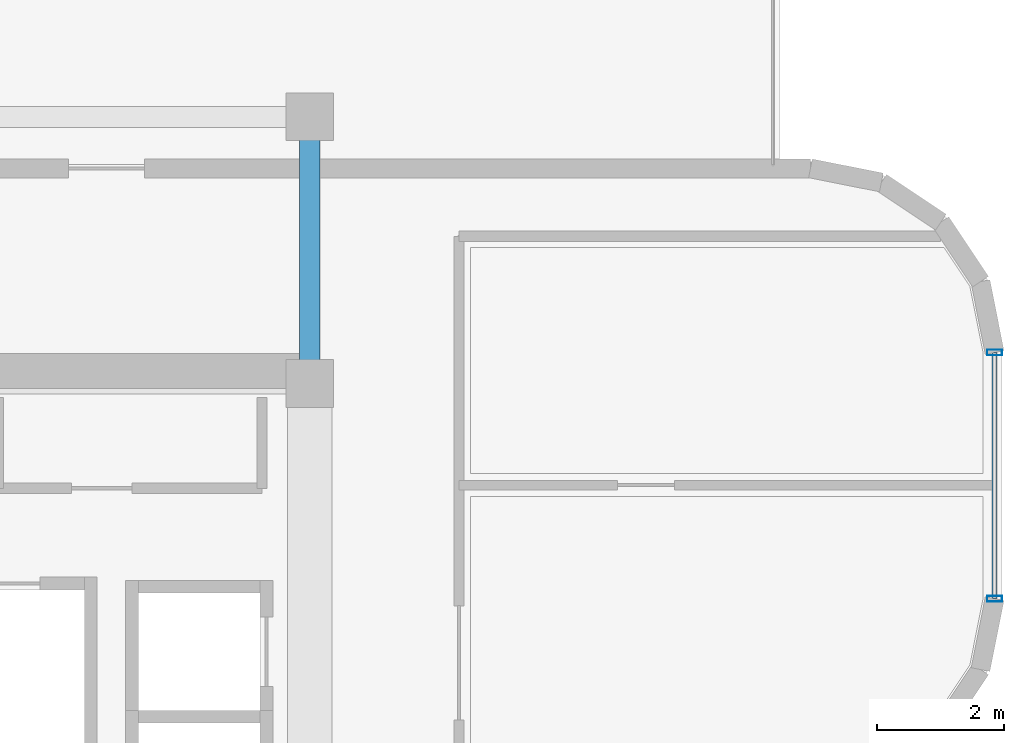
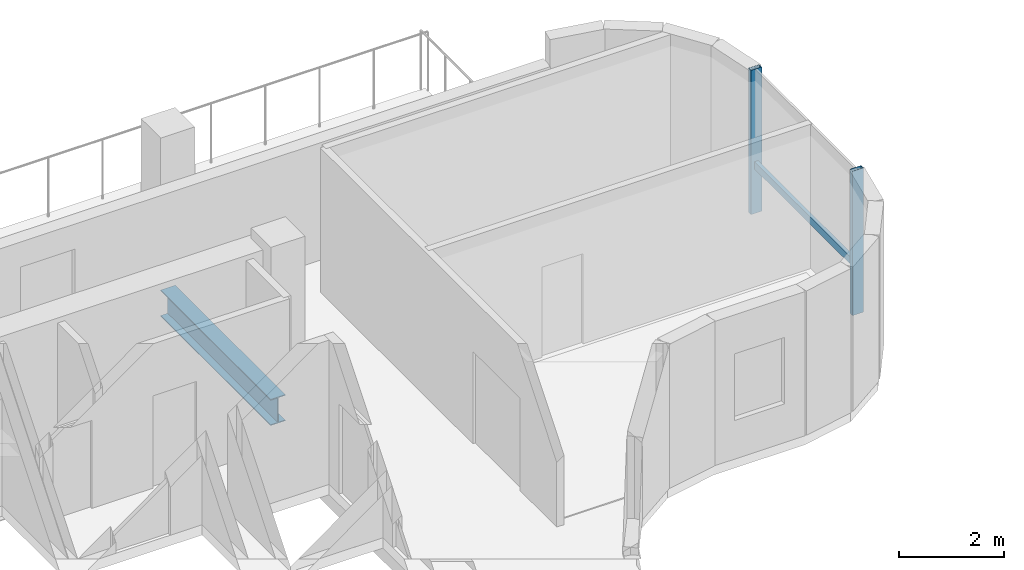
# One storey, part 7 of 13: 3 members, 1 beam, 1 element without a shape of its own.
"""IFC4 building model written with IfcOpenShell, lengths in metres."""

from ifc_helpers import new_model, si_unit, direction, frame, origin, origin_2d, place, context, subcontext, project, spatial, hollow_rectangle, i_section, extrude, source, transform, mapped, material, material_profile, profile_set, type_object, element, aggregate, save


model = new_model("IFC4")

# Units and contexts
model_context = context("Model", 3, precision=1e-05, world=origin(), true_north=direction((0.0, 1.0)))
body_context = subcontext(model_context, "Body", "Model", "MODEL_VIEW")
ifc_project = project(units=[si_unit("LENGTHUNIT", "METRE"), si_unit("AREAUNIT", "SQUARE_METRE"), si_unit("VOLUMEUNIT", "CUBIC_METRE"), si_unit("PLANEANGLEUNIT", "RADIAN"), si_unit("MASSUNIT", "GRAM", prefix="KILO")], contexts=[model_context])

# Site, building, storey
site_placement = place(None, origin())
site = spatial("IfcSite", under=ifc_project, at=site_placement, CompositionType="ELEMENT")
building_placement = place(site_placement, origin())
building = spatial("IfcBuilding", under=site, at=building_placement, Name="Valdorenza Pilgrim Sanctuary Tower", CompositionType="ELEMENT")
storey_placement = place(building_placement, frame((0.0, 0.0, 290.60009765625)))
storey = spatial("IfcBuildingStorey", under=building, at=storey_placement, Name="L76", CompositionType="ELEMENT", Elevation=290.60009765625)

# Beam
ifc_material_1 = material(Name="Steel ASTM A992 Grade 50", Category="steel")
ifc_material_profile_1 = material_profile(ifc_material_1, i_section(OverallWidth=0.323974609375, OverallDepth=0.611083984375, WebThickness=0.0126953125, FlangeThickness=0.01904296875, at=origin_2d()), Name="W24X104")
ifc_profile_set_1 = profile_set([ifc_material_profile_1], Name="Steel ASTM A992 Grade 50")
beam_type = type_object("IfcBeamType", Name="STR-BM-GRD-W24B", PredefinedType="BEAM", material=ifc_profile_set_1)
shared_shape_1 = source(origin(), body_context, "Body", "SweptSolid", [
    extrude(i_section(OverallWidth=0.323974609375, OverallDepth=0.611083984375, WebThickness=0.0126953125, FlangeThickness=0.01904296875, at=origin_2d()), origin(), (0.0, 0.0, 1.0), 4.199951171875),
])
beam_placement = place(storey_placement, frame((-12.39990234375, 10.60009765625, -0.545654296875), z_axis=(0.0, 1.0, 0.0), x_axis=(-1.0, 0.0, 0.0)))
element("IfcBeam", 1, at=beam_placement, inside=storey, type_object=beam_type, Name="L76 Core Tie Girder CA-E-N1N2", PredefinedType="BEAM", context=body_context, shape_type="MappedRepresentation", body=[
    mapped(shared_shape_1, transform((0.0, 0.0, 0.0), x_axis=(1.0, 0.0, 0.0), y_axis=(0.0, 1.0, 0.0), z_axis=(0.0, 0.0, 1.0), scale=1.0)),
])

# Curtain wall, members
ifc_material_2 = material(Name="Curtain-wall IGU glazing", Category="glass")
curtain_wall_type = type_object("IfcCurtainWallType", Name="CW-SYS-04", PredefinedType="NOTDEFINED", material=ifc_material_2)
curtain_wall_placement = place(storey_placement, origin())
curtain_wall = element("IfcCurtainWall", 2, at=curtain_wall_placement, inside=storey, type_object=curtain_wall_type, Name="L76 Curtain Wall CW-L76-1-11", PredefinedType="NOTDEFINED")
ifc_material_3 = material(Name="Anodised aluminium AW-6060", Category="aluminium")
ifc_material_profile_2 = material_profile(ifc_material_3, hollow_rectangle(XDim=0.090087890625, YDim=0.239990234375, WallThickness=0.0048828125, at=origin_2d()), Name="ALU-M 240x90x5")
ifc_profile_set_2 = profile_set([ifc_material_profile_2], Name="Anodised aluminium AW-6060")
member_type_1 = type_object("IfcMemberType", Name="CW-MUL-04", PredefinedType="MULLION", material=ifc_profile_set_2)
shared_shape_2 = source(origin(), body_context, "Body", "SweptSolid", [
    extrude(hollow_rectangle(XDim=0.090087890625, YDim=0.239990234375, WallThickness=0.0048828125, at=origin_2d()), origin(), (0.0, 0.0, 1.0), 3.35986328125),
])
member_1_placement = place(storey_placement, frame((-1.610107421875, 11.089111328125, 0.0), z_axis=(0.0, 0.0, 1.0), x_axis=(0.0, -1.0, 0.0)))
member_1 = element("IfcMember", 3, at=member_1_placement, type_object=member_type_1, Name="CW-L76-1-11 Mullion 1", PredefinedType="MULLION", context=body_context, shape_type="MappedRepresentation", body=[
    mapped(shared_shape_2, transform((0.0, 0.0, 0.0), x_axis=(1.0, 0.0, 0.0), y_axis=(0.0, 1.0, 0.0), z_axis=(0.0, 0.0, 1.0), scale=1.0)),
])
member_2_placement = place(storey_placement, frame((-1.610107421875, 7.210693359375, 0.0), z_axis=(0.0, 0.0, 1.0), x_axis=(0.0, -1.0, 0.0)))
member_2 = element("IfcMember", 4, at=member_2_placement, type_object=member_type_1, Name="CW-L76-1-11 Mullion 2", PredefinedType="MULLION", context=body_context, shape_type="MappedRepresentation", body=[
    mapped(shared_shape_2, transform((0.0, 0.0, 0.0), x_axis=(1.0, 0.0, 0.0), y_axis=(0.0, 1.0, 0.0), z_axis=(0.0, 0.0, 1.0), scale=1.0)),
])
ifc_material_profile_3 = material_profile(ifc_material_3, hollow_rectangle(XDim=0.080078125, YDim=0.169921875, WallThickness=0.00390625, at=origin_2d()), Name="ALU-T 170x80x4")
ifc_profile_set_3 = profile_set([ifc_material_profile_3], Name="Anodised aluminium AW-6060")
member_type_2 = type_object("IfcMemberType", Name="CW-TRN-04", PredefinedType="USERDEFINED", material=ifc_profile_set_3)
shared_shape_3 = source(origin(), body_context, "Body", "SweptSolid", [
    extrude(hollow_rectangle(XDim=0.080078125, YDim=0.169921875, WallThickness=0.00390625, at=origin_2d()), origin(), (0.0, 0.0, 1.0), 3.87841796875),
])
member_3_placement = place(storey_placement, frame((-1.610107421875, 11.089111328125, 1.119873046875), z_axis=(0.0, -1.0, 0.0), x_axis=(1.0, 0.0, 0.0)))
member_3 = element("IfcMember", 5, at=member_3_placement, type_object=member_type_2, Name="CW-L76-1-11 Transom 1", ObjectType="TRANSOM", PredefinedType="USERDEFINED", context=body_context, shape_type="MappedRepresentation", body=[
    mapped(shared_shape_3, transform((0.0, 0.0, 0.0), x_axis=(1.0, 0.0, 0.0), y_axis=(0.0, 1.0, 0.0), z_axis=(0.0, 0.0, 1.0), scale=1.0)),
])
aggregate(curtain_wall, [member_1, member_2, member_3])

save(model, "model.ifc")
